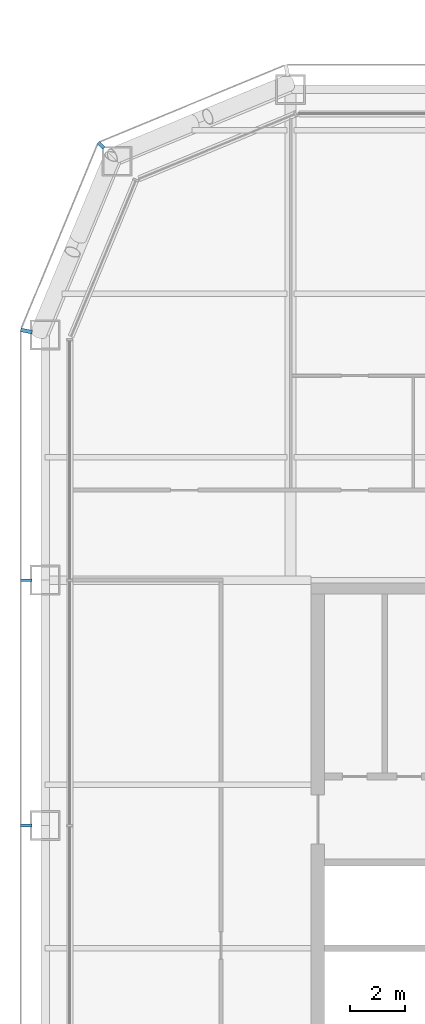
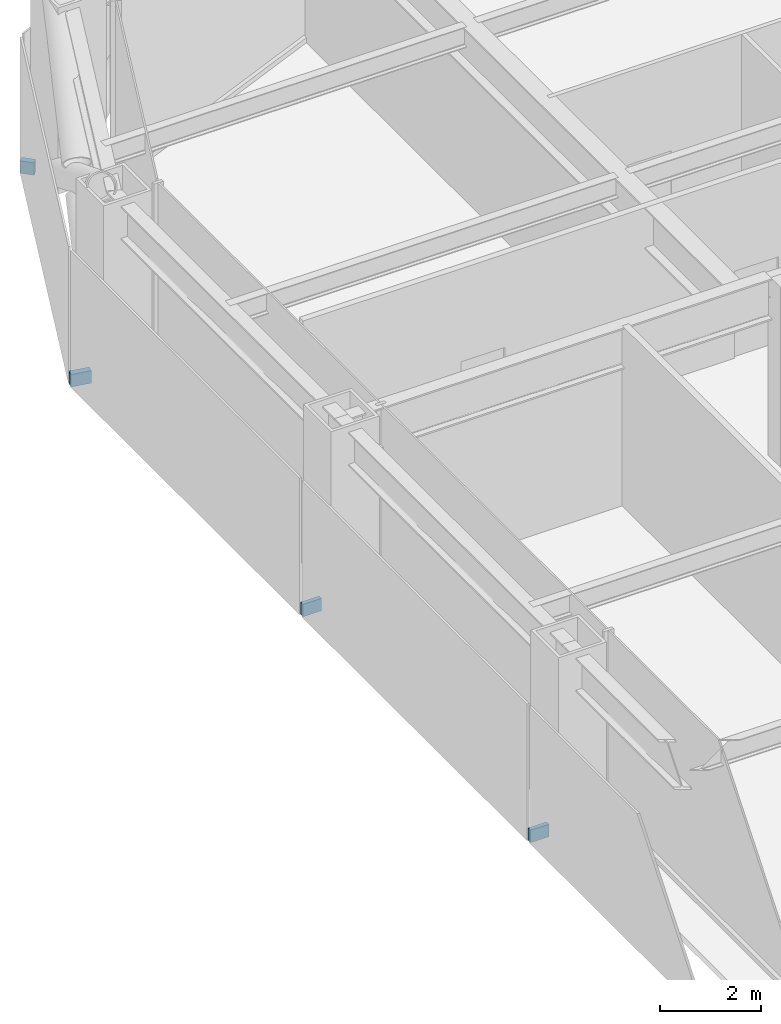
# One storey, part 19 of 30: 4 discrete accessories.
"""IFC4 building model written with IfcOpenShell, lengths in metres."""

from ifc_helpers import new_model, si_unit, direction, frame, origin, origin_2d, place, context, subcontext, project, spatial, rectangle, extrude, material, type_object, element, save


model = new_model("IFC4")

# Units and contexts
model_context = context("Model", 3, precision=1e-05, world=origin(), true_north=direction((0.0, 1.0)))
body_context = subcontext(model_context, "Body", "Model", "MODEL_VIEW")
ifc_project = project(units=[si_unit("LENGTHUNIT", "METRE"), si_unit("AREAUNIT", "SQUARE_METRE"), si_unit("VOLUMEUNIT", "CUBIC_METRE"), si_unit("PLANEANGLEUNIT", "RADIAN"), si_unit("MASSUNIT", "GRAM", prefix="KILO")], contexts=[model_context])

# Site, building, storey
site_placement = place(None, origin())
site = spatial("IfcSite", under=ifc_project, at=site_placement, CompositionType="ELEMENT")
building_placement = place(site_placement, origin())
building = spatial("IfcBuilding", under=site, at=building_placement, Name="Siwar Civic Tower", CompositionType="ELEMENT")
storey_placement = place(building_placement, frame((0.0, 0.0, 44.699951171875)))
storey = spatial("IfcBuildingStorey", under=building, at=storey_placement, Name="L09", CompositionType="ELEMENT", Elevation=44.699951171875)

# Discrete accessories
ifc_material = material(Name="Stainless steel 316", Category="steel")
discrete_accessory_type = type_object("IfcDiscreteAccessoryType", Name="ENV-BRACKET", PredefinedType="BRACKET", material=ifc_material)
discrete_accessory_1_placement = place(storey_placement, frame((-29.451416015625, 29.451416015625, -0.14990234375), z_axis=(0.0, 0.0, 1.0), x_axis=(-0.707106781187, 0.707106781187, 0.0)))
element("IfcDiscreteAccessory", 1, at=discrete_accessory_1_placement, inside=storey, type_object=discrete_accessory_type, Name="Bracket outer skin joint V08", PredefinedType="BRACKET", context=body_context, shape_type="SweptSolid", body=[
    extrude(rectangle(XDim=0.287109375, YDim=0.12939453125, at=origin_2d()), origin(), (0.0, 0.0, 1.0), 0.300048828125),
])
discrete_accessory_2_placement = place(storey_placement, frame((-32.190185546875, 22.63720703125, -0.14990234375), z_axis=(0.0, 0.0, 1.0), x_axis=(-0.980785280403, 0.195090322016, 0.0)))
element("IfcDiscreteAccessory", 2, at=discrete_accessory_2_placement, inside=storey, type_object=discrete_accessory_type, Name="Bracket outer skin joint V09", PredefinedType="BRACKET", context=body_context, shape_type="SweptSolid", body=[
    extrude(rectangle(XDim=0.427734375, YDim=0.13720703125, at=origin_2d()), origin(), (0.0, 0.0, 1.0), 0.300048828125),
])
for number, where, z_axis, x_axis, name in (
    (3, (-32.18994140625, 13.5, -0.14990234375), (0.0, 0.0, 1.0), (-1.0, 0.0, 0.0), "Bracket outer skin joint W-01"),
    (4, (-32.18994140625, 4.5, -0.14990234375), (0.0, 0.0, 1.0), (-1.0, 0.0, 0.0), "Bracket outer skin joint W-02"),
):
    element("IfcDiscreteAccessory", number, at=place(storey_placement, frame(where, z_axis=z_axis, x_axis=x_axis)), inside=storey, type_object=discrete_accessory_type, Name=name, PredefinedType="BRACKET", context=body_context, shape_type="SweptSolid", body=[
        extrude(rectangle(XDim=0.419921875, YDim=0.10009765625, at=origin_2d()), origin(), (0.0, 0.0, 1.0), 0.300048828125),
    ])

save(model, "model.ifc")
